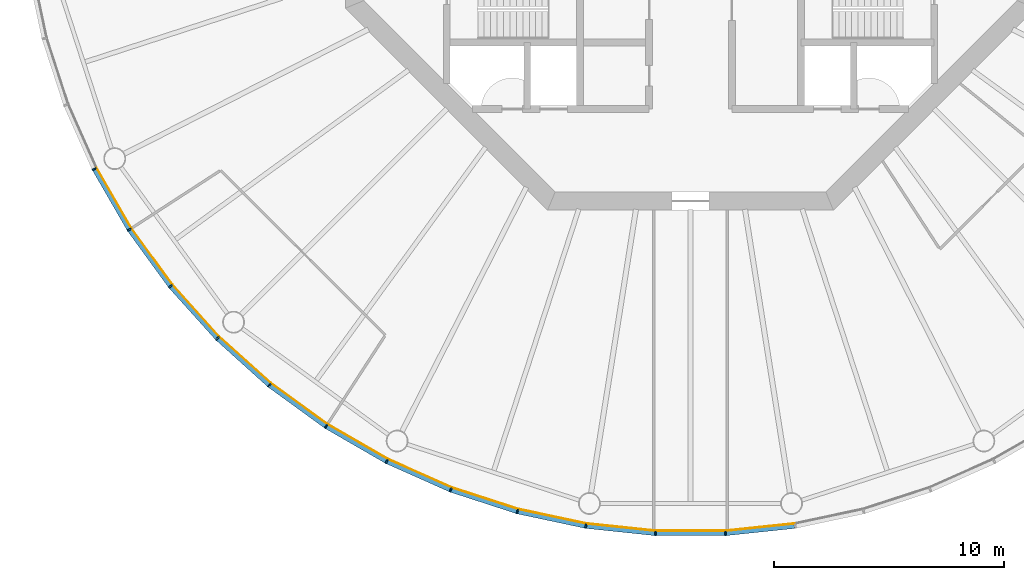
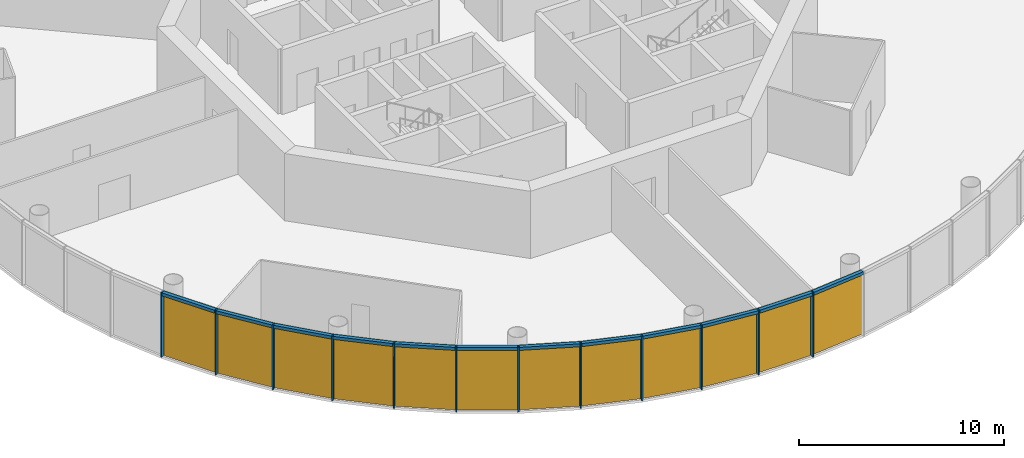
# One storey, part 7 of 13: 24 members, 4 curtain walls.
"""IFC4 building model written with IfcOpenShell, lengths in metres."""

from ifc_helpers import new_model, si_unit, direction, frame, origin, origin_2d, place, context, subcontext, project, spatial, polyline, rectangle, outline, extrude, material, layer, layer_set, material_profile, profile_set, type_object, element, aggregate, save


model = new_model("IFC4")

# Units and contexts
model_context = context("Model", 3, precision=1e-05, world=origin(), true_north=direction((0.0, 1.0)))
body_context = subcontext(model_context, "Body", "Model", "MODEL_VIEW")
ifc_project = project(units=[si_unit("LENGTHUNIT", "METRE"), si_unit("AREAUNIT", "SQUARE_METRE"), si_unit("VOLUMEUNIT", "CUBIC_METRE"), si_unit("PLANEANGLEUNIT", "RADIAN"), si_unit("MASSUNIT", "GRAM", prefix="KILO")], contexts=[model_context])

# Member
ifc_material_1 = material(Name="Anodised aluminium", Category="aluminium")
ifc_material_profile_1 = material_profile(ifc_material_1, rectangle(XDim=0.06494140625, YDim=0.195068359375, at=origin_2d()), Name="Mullion 65 x 195 mm anodised aluminium")
ifc_profile_set_1 = profile_set([ifc_material_profile_1], Name="Anodised aluminium")
member_type_1 = type_object("IfcMemberType", Name="Mullion 65 x 195 mm anodised aluminium", PredefinedType="MULLION", material=ifc_profile_set_1)
site_placement = place(None, origin())
building_placement = place(site_placement, origin())
storey_placement = place(building_placement, frame((0.0, 0.0, 278.0)))
member_1_placement = place(storey_placement, frame((64.073974609375, 66.7900390625, 0.0), z_axis=(0.0, 0.0, 1.0), x_axis=(0.45399049974, -0.891006524188, 0.0)))
member_1 = element("IfcMember", 1, at=member_1_placement, type_object=member_type_1, Name="MULLION L63-33", PredefinedType="MULLION", context=body_context, shape_type="SweptSolid", body=[
    extrude(rectangle(XDim=0.06494140625, YDim=0.195068359375, at=origin_2d()), origin(), (0.0, 0.0, 1.0), 3.85009765625),
])

member_2_placement = place(storey_placement, frame((65.5966796875, 64.15234375, 0.0), z_axis=(0.0, 0.0, 1.0), x_axis=(0.544639035015, -0.838670567945, 0.0)))
member_2 = element("IfcMember", 2, at=member_2_placement, type_object=member_type_1, Name="MULLION L63-34", PredefinedType="MULLION", context=body_context, shape_type="SweptSolid", body=[
    extrude(rectangle(XDim=0.06494140625, YDim=0.195068359375, at=origin_2d()), origin(), (0.0, 0.0, 1.0), 3.85009765625),
])

member_3_placement = place(storey_placement, frame((67.386962890625, 61.688232421875, 0.0), z_axis=(0.0, 0.0, 1.0), x_axis=(0.62932039105, -0.777145961457, 0.0)))
member_3 = element("IfcMember", 3, at=member_3_placement, type_object=member_type_1, Name="MULLION L63-35", PredefinedType="MULLION", context=body_context, shape_type="SweptSolid", body=[
    extrude(rectangle(XDim=0.06494140625, YDim=0.195068359375, at=origin_2d()), origin(), (0.0, 0.0, 1.0), 3.85009765625),
])

member_4_placement = place(storey_placement, frame((69.425048828125, 59.425048828125, 0.0), z_axis=(0.0, 0.0, 1.0), x_axis=(0.707106781187, -0.707106781187, 0.0)))
member_4 = element("IfcMember", 4, at=member_4_placement, type_object=member_type_1, Name="MULLION L63-36", PredefinedType="MULLION", context=body_context, shape_type="SweptSolid", body=[
    extrude(rectangle(XDim=0.06494140625, YDim=0.195068359375, at=origin_2d()), origin(), (0.0, 0.0, 1.0), 3.85009765625),
])

member_5_placement = place(storey_placement, frame((71.688232421875, 57.386962890625, 0.0), z_axis=(0.0, 0.0, 1.0), x_axis=(0.777145961457, -0.62932039105, 0.0)))
member_5 = element("IfcMember", 5, at=member_5_placement, type_object=member_type_1, Name="MULLION L63-37", PredefinedType="MULLION", context=body_context, shape_type="SweptSolid", body=[
    extrude(rectangle(XDim=0.06494140625, YDim=0.195068359375, at=origin_2d()), origin(), (0.0, 0.0, 1.0), 3.85009765625),
])

member_6_placement = place(storey_placement, frame((74.15234375, 55.5966796875, 0.0), z_axis=(0.0, 0.0, 1.0), x_axis=(0.838670567945, -0.544639035015, 0.0)))
member_6 = element("IfcMember", 6, at=member_6_placement, type_object=member_type_1, Name="MULLION L63-38", PredefinedType="MULLION", context=body_context, shape_type="SweptSolid", body=[
    extrude(rectangle(XDim=0.06494140625, YDim=0.195068359375, at=origin_2d()), origin(), (0.0, 0.0, 1.0), 3.85009765625),
])

member_7_placement = place(storey_placement, frame((76.7900390625, 54.073974609375, 0.0), z_axis=(0.0, 0.0, 1.0), x_axis=(0.891006524188, -0.45399049974, 0.0)))
member_7 = element("IfcMember", 7, at=member_7_placement, type_object=member_type_1, Name="MULLION L63-39", PredefinedType="MULLION", context=body_context, shape_type="SweptSolid", body=[
    extrude(rectangle(XDim=0.06494140625, YDim=0.195068359375, at=origin_2d()), origin(), (0.0, 0.0, 1.0), 3.85009765625),
])

member_8_placement = place(storey_placement, frame((79.572509765625, 52.835205078125, 0.0), z_axis=(0.0, 0.0, 1.0), x_axis=(0.933580426497, -0.358367949545, 0.0)))
member_8 = element("IfcMember", 8, at=member_8_placement, type_object=member_type_1, Name="MULLION L63-40", PredefinedType="MULLION", context=body_context, shape_type="SweptSolid", body=[
    extrude(rectangle(XDim=0.06494140625, YDim=0.195068359375, at=origin_2d()), origin(), (0.0, 0.0, 1.0), 3.85009765625),
])

member_9_placement = place(storey_placement, frame((82.468994140625, 51.89404296875, 0.0), z_axis=(0.0, 0.0, 1.0), x_axis=(0.965925826289, -0.258819045103, 0.0)))
member_9 = element("IfcMember", 9, at=member_9_placement, type_object=member_type_1, Name="MULLION L63-41", PredefinedType="MULLION", context=body_context, shape_type="SweptSolid", body=[
    extrude(rectangle(XDim=0.06494140625, YDim=0.195068359375, at=origin_2d()), origin(), (0.0, 0.0, 1.0), 3.85009765625),
])

member_10_placement = place(storey_placement, frame((85.4482421875, 51.2607421875, 0.0), z_axis=(0.0, 0.0, 1.0), x_axis=(0.987688340595, -0.15643446504, 0.0)))
member_10 = element("IfcMember", 10, at=member_10_placement, type_object=member_type_1, Name="MULLION L63-42", PredefinedType="MULLION", context=body_context, shape_type="SweptSolid", body=[
    extrude(rectangle(XDim=0.06494140625, YDim=0.195068359375, at=origin_2d()), origin(), (0.0, 0.0, 1.0), 3.85009765625),
])

member_11_placement = place(storey_placement, frame((88.47705078125, 50.9423828125, 0.0), z_axis=(0.0, 0.0, 1.0), x_axis=(0.998629534755, -0.052335956243, 0.0)))
member_11 = element("IfcMember", 11, at=member_11_placement, type_object=member_type_1, Name="MULLION L63-43", PredefinedType="MULLION", context=body_context, shape_type="SweptSolid", body=[
    extrude(rectangle(XDim=0.06494140625, YDim=0.195068359375, at=origin_2d()), origin(), (0.0, 0.0, 1.0), 3.85009765625),
])

member_12_placement = place(storey_placement, frame((91.52294921875, 50.9423828125, 0.0), z_axis=(0.0, 0.0, 1.0), x_axis=(0.998629534755, 0.052335956243, 0.0)))
member_12 = element("IfcMember", 12, at=member_12_placement, type_object=member_type_1, Name="MULLION L63-44", PredefinedType="MULLION", context=body_context, shape_type="SweptSolid", body=[
    extrude(rectangle(XDim=0.06494140625, YDim=0.195068359375, at=origin_2d()), origin(), (0.0, 0.0, 1.0), 3.85009765625),
])

ifc_material_2 = material(Name="Anodised aluminium", Category="aluminium")
ifc_material_profile_2 = material_profile(ifc_material_2, rectangle(XDim=0.195068359375, YDim=0.179931640625, at=origin_2d()), Name="Transom 180 x 195 mm anodised aluminium")
ifc_profile_set_2 = profile_set([ifc_material_profile_2], Name="Anodised aluminium")
member_type_2 = type_object("IfcMemberType", Name="Transom 180 x 195 mm anodised aluminium", PredefinedType="USERDEFINED", material=ifc_profile_set_2)
member_13_placement = place(storey_placement, frame((64.092529296875, 66.75732421875, 3.760009765625), z_axis=(0.500028367561, -0.866009025146, 0.0), x_axis=(0.866009025146, 0.500028367561, 0.0)))
member_13 = element("IfcMember", 13, at=member_13_placement, type_object=member_type_2, Name="TRANSOM L63-33", ObjectType="TRANSOM", PredefinedType="USERDEFINED", context=body_context, shape_type="SweptSolid", body=[
    extrude(rectangle(XDim=0.195068359375, YDim=0.179931640625, at=origin_2d()), origin(), (0.0, 0.0, 1.0), 2.970458984375),
])

member_14_placement = place(storey_placement, frame((65.618896484375, 64.121826171875, 3.760009765625), z_axis=(0.587765987476, -0.809030990733, 0.0), x_axis=(0.809030990733, 0.587765987476, 0.0)))
member_14 = element("IfcMember", 14, at=member_14_placement, type_object=member_type_2, Name="TRANSOM L63-34", ObjectType="TRANSOM", PredefinedType="USERDEFINED", context=body_context, shape_type="SweptSolid", body=[
    extrude(rectangle(XDim=0.195068359375, YDim=0.179931640625, at=origin_2d()), origin(), (0.0, 0.0, 1.0), 2.97021484375),
])

member_15_placement = place(storey_placement, frame((67.412109375, 61.660400390625, 3.760009765625), z_axis=(0.669110027395, -0.743163354343, 0.0), x_axis=(0.743163354343, 0.669110027395, 0.0)))
member_15 = element("IfcMember", 15, at=member_15_placement, type_object=member_type_2, Name="TRANSOM L63-35", ObjectType="TRANSOM", PredefinedType="USERDEFINED", context=body_context, shape_type="SweptSolid", body=[
    extrude(rectangle(XDim=0.195068359375, YDim=0.179931640625, at=origin_2d()), origin(), (0.0, 0.0, 1.0), 2.970458984375),
])

member_16_placement = place(storey_placement, frame((69.452880859375, 59.399658203125, 3.760009765625), z_axis=(0.743163354343, -0.669110027395, 0.0), x_axis=(0.669110027395, 0.743163354343, 0.0)))
member_16 = element("IfcMember", 16, at=member_16_placement, type_object=member_type_2, Name="TRANSOM L63-36", ObjectType="TRANSOM", PredefinedType="USERDEFINED", context=body_context, shape_type="SweptSolid", body=[
    extrude(rectangle(XDim=0.195068359375, YDim=0.179931640625, at=origin_2d()), origin(), (0.0, 0.0, 1.0), 2.970458984375),
])

member_17_placement = place(storey_placement, frame((71.71875, 57.36474609375, 3.760009765625), z_axis=(0.809030990733, -0.587765987476, 0.0), x_axis=(0.587765987476, 0.809030990733, 0.0)))
member_17 = element("IfcMember", 17, at=member_17_placement, type_object=member_type_2, Name="TRANSOM L63-37", ObjectType="TRANSOM", PredefinedType="USERDEFINED", context=body_context, shape_type="SweptSolid", body=[
    extrude(rectangle(XDim=0.195068359375, YDim=0.179931640625, at=origin_2d()), origin(), (0.0, 0.0, 1.0), 2.97021484375),
])

member_18_placement = place(storey_placement, frame((74.184814453125, 55.577880859375, 3.760009765625), z_axis=(0.866009025146, -0.500028367561, 0.0), x_axis=(0.500028367561, 0.866009025146, 0.0)))
member_18 = element("IfcMember", 18, at=member_18_placement, type_object=member_type_2, Name="TRANSOM L63-38", ObjectType="TRANSOM", PredefinedType="USERDEFINED", context=body_context, shape_type="SweptSolid", body=[
    extrude(rectangle(XDim=0.195068359375, YDim=0.179931640625, at=origin_2d()), origin(), (0.0, 0.0, 1.0), 2.970458984375),
])

member_19_placement = place(storey_placement, frame((76.82421875, 54.05859375, 3.760009765625), z_axis=(0.913550406593, -0.406725527369, 0.0), x_axis=(0.406725527369, 0.913550406593, 0.0)))
member_19 = element("IfcMember", 19, at=member_19_placement, type_object=member_type_2, Name="TRANSOM L63-39", ObjectType="TRANSOM", PredefinedType="USERDEFINED", context=body_context, shape_type="SweptSolid", body=[
    extrude(rectangle(XDim=0.195068359375, YDim=0.179931640625, at=origin_2d()), origin(), (0.0, 0.0, 1.0), 2.970703125),
])

member_20_placement = place(storey_placement, frame((79.608154296875, 52.823486328125, 3.760009765625), z_axis=(0.951047960094, -0.309043326415, 0.0), x_axis=(0.309043326415, 0.951047960094, 0.0)))
member_20 = element("IfcMember", 20, at=member_20_placement, type_object=member_type_2, Name="TRANSOM L63-40", ObjectType="TRANSOM", PredefinedType="USERDEFINED", context=body_context, shape_type="SweptSolid", body=[
    extrude(rectangle(XDim=0.195068359375, YDim=0.179931640625, at=origin_2d()), origin(), (0.0, 0.0, 1.0), 2.970458984375),
])

member_21_placement = place(storey_placement, frame((82.505859375, 51.885986328125, 3.760009765625), z_axis=(0.978141510112, -0.207940342877, 0.0), x_axis=(0.207940342877, 0.978141510112, 0.0)))
member_21 = element("IfcMember", 21, at=member_21_placement, type_object=member_type_2, Name="TRANSOM L63-41", ObjectType="TRANSOM", PredefinedType="USERDEFINED", context=body_context, shape_type="SweptSolid", body=[
    extrude(rectangle(XDim=0.195068359375, YDim=0.179931640625, at=origin_2d()), origin(), (0.0, 0.0, 1.0), 2.970458984375),
])

member_22_placement = place(storey_placement, frame((85.485595703125, 51.256591796875, 3.760009765625), z_axis=(0.994528397827, -0.104466577987, 0.0), x_axis=(0.104466577987, 0.994528397827, 0.0)))
member_22 = element("IfcMember", 22, at=member_22_placement, type_object=member_type_2, Name="TRANSOM L63-42", ObjectType="TRANSOM", PredefinedType="USERDEFINED", context=body_context, shape_type="SweptSolid", body=[
    extrude(rectangle(XDim=0.195068359375, YDim=0.179931640625, at=origin_2d()), origin(), (0.0, 0.0, 1.0), 2.970458984375),
])

member_23_placement = place(storey_placement, frame((88.5146484375, 50.942138671875, 3.760009765625), z_axis=(1.0, 0.0, 0.0), x_axis=(0.0, 1.0, 0.0)))
member_23 = element("IfcMember", 23, at=member_23_placement, type_object=member_type_2, Name="TRANSOM L63-43", ObjectType="TRANSOM", PredefinedType="USERDEFINED", context=body_context, shape_type="SweptSolid", body=[
    extrude(rectangle(XDim=0.195068359375, YDim=0.179931640625, at=origin_2d()), origin(), (0.0, 0.0, 1.0), 2.970703125),
])

member_24_placement = place(storey_placement, frame((91.560302734375, 50.9462890625, 3.760009765625), z_axis=(0.994528397827, 0.104466577987, 0.0), x_axis=(-0.104466577987, 0.994528397827, 0.0)))
member_24 = element("IfcMember", 24, at=member_24_placement, type_object=member_type_2, Name="TRANSOM L63-44", ObjectType="TRANSOM", PredefinedType="USERDEFINED", context=body_context, shape_type="SweptSolid", body=[
    extrude(rectangle(XDim=0.195068359375, YDim=0.179931640625, at=origin_2d()), origin(), (0.0, 0.0, 1.0), 2.970458984375),
])

# Site, building, storey
site = spatial("IfcSite", under=ifc_project, at=site_placement, CompositionType="ELEMENT")
building = spatial("IfcBuilding", under=site, at=building_placement, Name="Entoto Ring Tower", CompositionType="ELEMENT")
storey = spatial("IfcBuildingStorey", under=building, at=storey_placement, Name="L63", CompositionType="ELEMENT", Elevation=278.0)

# Curtain wall
ifc_material_3 = material(Name="Clear low-iron glass", Category="glass")
ifc_layer = layer(ifc_material_3, 0.033935546875)
ifc_layer_set = layer_set([ifc_layer], Name="Clear low-iron glass")
curtain_wall_type = type_object("IfcCurtainWallType", Name="Curtain wall system CW5 glazing 34 mm", PredefinedType="NOTDEFINED", material=ifc_layer_set)
curtain_wall_1_placement = place(storey_placement, origin())
curtain_wall_1 = element("IfcCurtainWall", 25, at=curtain_wall_1_placement, inside=storey, type_object=curtain_wall_type, Name="CW5 L63-12", PredefinedType="NOTDEFINED", context=body_context, shape_type="SweptSolid", body=[
    extrude(outline(polyline([(64.160888671875, 66.834228515625), (65.678466796875, 64.20556640625), (67.462646484375, 61.749755859375), (69.493896484375, 59.493896484375), (69.51806640625, 59.51806640625), (67.4892578125, 61.771240234375), (65.70703125, 64.22412109375), (64.191162109375, 66.849853515625), (64.160888671875, 66.834228515625)])), origin(), (0.0, 0.0, 1.0), 3.85009765625),
])

aggregate(curtain_wall_1, [member_1, member_2, member_3, member_13, member_14, member_15])

curtain_wall_2_placement = place(storey_placement, origin())
curtain_wall_2 = element("IfcCurtainWall", 26, at=curtain_wall_2_placement, inside=storey, type_object=curtain_wall_type, Name="CW5 L63-13", PredefinedType="NOTDEFINED", context=body_context, shape_type="SweptSolid", body=[
    extrude(outline(polyline([(69.493896484375, 59.493896484375), (71.749755859375, 57.462646484375), (74.20556640625, 55.678466796875), (76.834228515625, 54.160888671875), (76.849853515625, 54.191162109375), (74.22412109375, 55.70703125), (71.771240234375, 57.4892578125), (69.51806640625, 59.51806640625), (69.493896484375, 59.493896484375)])), origin(), (0.0, 0.0, 1.0), 3.85009765625),
])

aggregate(curtain_wall_2, [member_4, member_5, member_6, member_16, member_17, member_18])

curtain_wall_3_placement = place(storey_placement, origin())
curtain_wall_3 = element("IfcCurtainWall", 27, at=curtain_wall_3_placement, inside=storey, type_object=curtain_wall_type, Name="CW5 L63-14", PredefinedType="NOTDEFINED", context=body_context, shape_type="SweptSolid", body=[
    extrude(outline(polyline([(76.834228515625, 54.160888671875), (79.607421875, 52.92626953125), (82.494140625, 51.988037109375), (85.46337890625, 51.35693359375), (85.46875, 51.390625), (82.503173828125, 52.02099609375), (79.61962890625, 52.9580078125), (76.849853515625, 54.191162109375), (76.834228515625, 54.160888671875)])), origin(), (0.0, 0.0, 1.0), 3.85009765625),
])

aggregate(curtain_wall_3, [member_7, member_8, member_9, member_19, member_20, member_21])

curtain_wall_4_placement = place(storey_placement, origin())
curtain_wall_4 = element("IfcCurtainWall", 28, at=curtain_wall_4_placement, inside=storey, type_object=curtain_wall_type, Name="CW5 L63-15", PredefinedType="NOTDEFINED", context=body_context, shape_type="SweptSolid", body=[
    extrude(outline(polyline([(85.46337890625, 51.35693359375), (88.482177734375, 51.039794921875), (91.517822265625, 51.039794921875), (94.53662109375, 51.35693359375), (94.53125, 51.390625), (91.515869140625, 51.07373046875), (88.484130859375, 51.07373046875), (85.46875, 51.390625), (85.46337890625, 51.35693359375)])), origin(), (0.0, 0.0, 1.0), 3.85009765625),
])

aggregate(curtain_wall_4, [member_10, member_11, member_12, member_22, member_23, member_24])

save(model, "model.ifc")
